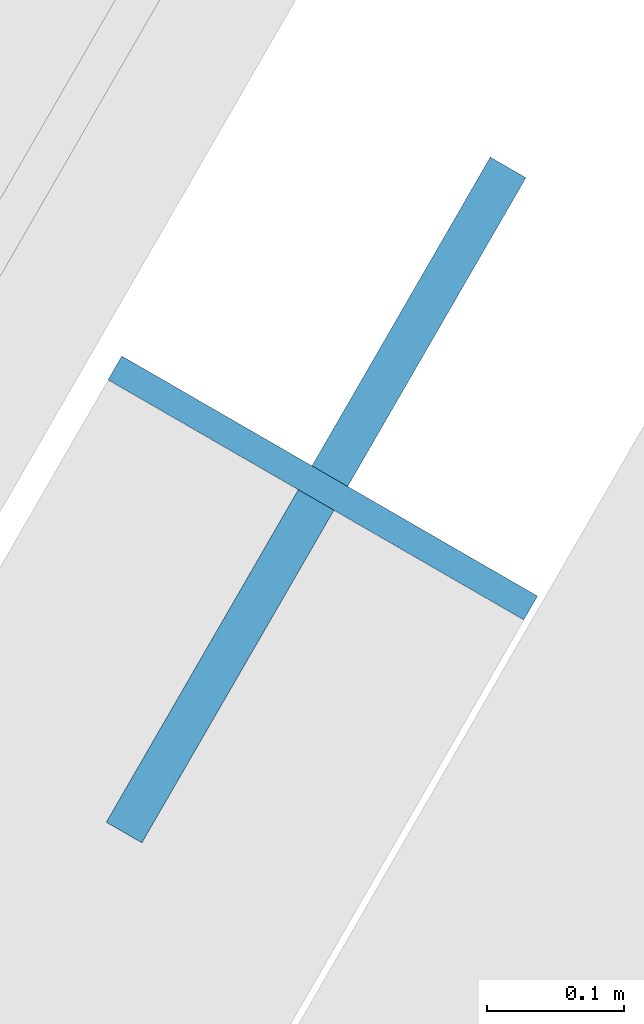
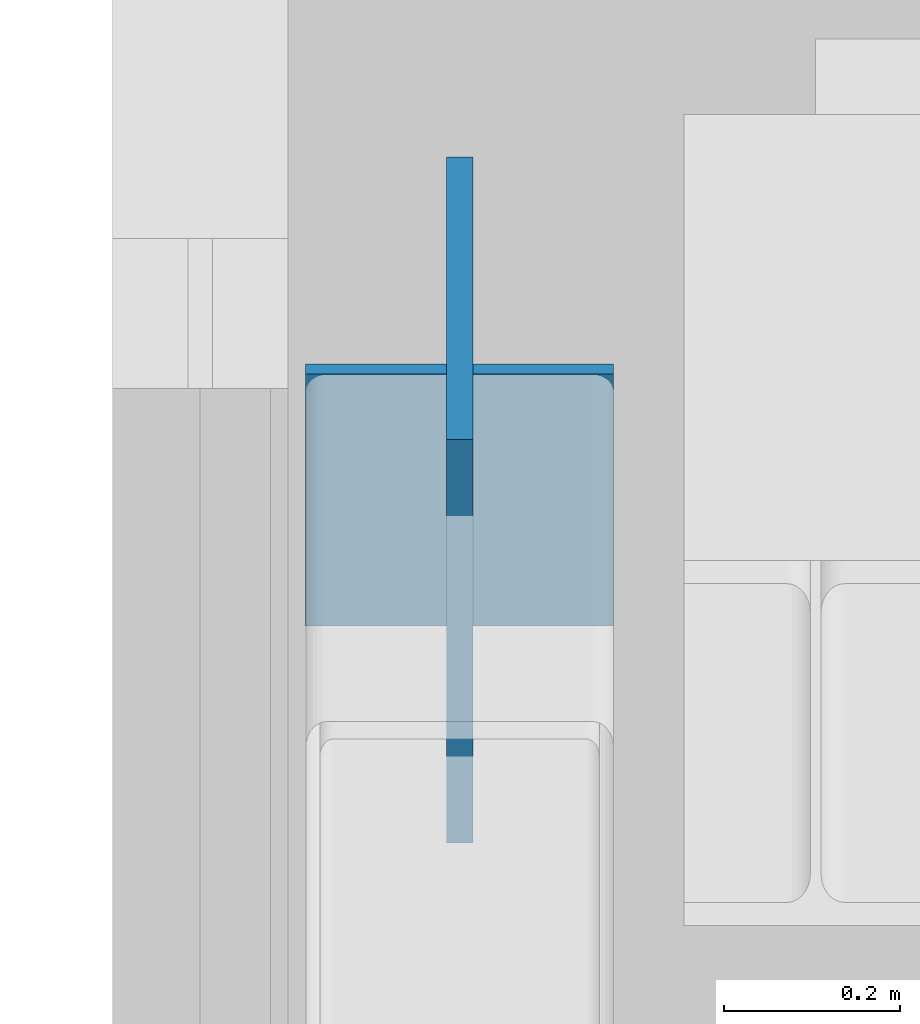
# One storey, part 24 of 28: 2 discrete accessories.
"""IFC4 building model written with IfcOpenShell, lengths in metres."""

from ifc_helpers import new_model, si_unit, direction, frame, origin, origin_2d, place, context, subcontext, project, spatial, rectangle, extrude, material, layer, layer_set, type_object, element, save


model = new_model("IFC4")

# Units and contexts
model_context = context("Model", 3, precision=1e-05, world=origin(), true_north=direction((0.0, 1.0)))
body_context = subcontext(model_context, "Body", "Model", "MODEL_VIEW")
ifc_project = project(units=[si_unit("LENGTHUNIT", "METRE"), si_unit("AREAUNIT", "SQUARE_METRE"), si_unit("VOLUMEUNIT", "CUBIC_METRE"), si_unit("PLANEANGLEUNIT", "RADIAN"), si_unit("MASSUNIT", "GRAM", prefix="KILO")], contexts=[model_context])

# Site, building, storey
site_placement = place(None, origin())
site = spatial("IfcSite", under=ifc_project, at=site_placement, CompositionType="ELEMENT")
building_placement = place(site_placement, origin())
building = spatial("IfcBuilding", under=site, at=building_placement, Name="Ayvan Gate Tower", CompositionType="ELEMENT")
storey_placement = place(building_placement, frame((0.0, 0.0, 143.89990234375)))
storey = spatial("IfcBuildingStorey", under=building, at=storey_placement, Name="L38", CompositionType="ELEMENT", Elevation=143.89990234375)

# Discrete accessories
ifc_material = material(Name="Steel S460ML", Category="steel")
ifc_layer_1 = layer(ifc_material, 0.030029296875)
ifc_layer_set_1 = layer_set([ifc_layer_1], Name="Steel S460ML")
discrete_accessory_type_1 = type_object("IfcDiscreteAccessoryType", Name="Gusset plate 30 mm", PredefinedType="BRACKET", material=ifc_layer_set_1)
discrete_accessory_1_placement = place(storey_placement, frame((2.025390625, 37.81787109375, 3.094970703125), z_axis=(0.0, 0.0, 1.0), x_axis=(0.5, 0.866025403784, 0.0)))
element("IfcDiscreteAccessory", 1, at=discrete_accessory_1_placement, inside=storey, type_object=discrete_accessory_type_1, Name="Gusset plate SBX3-A-D-5", PredefinedType="BRACKET", context=body_context, shape_type="SweptSolid", body=[
    extrude(rectangle(XDim=0.56005859375, YDim=0.030029296875, at=origin_2d()), origin(), (0.0, 0.0, 1.0), 0.56005859375),
])
ifc_layer_2 = layer(ifc_material, 0.02001953125)
ifc_layer_set_2 = layer_set([ifc_layer_2], Name="Steel S460ML")
discrete_accessory_type_2 = type_object("IfcDiscreteAccessoryType", Name="Sky bar end cap plate", PredefinedType="BRACKET", material=ifc_layer_set_2)
discrete_accessory_2_placement = place(storey_placement, frame((2.0302734375, 37.82666015625, 3.199951171875), z_axis=(0.0, 0.0, 1.0), x_axis=(0.5, 0.866025403784, 0.0)))
element("IfcDiscreteAccessory", 2, at=discrete_accessory_2_placement, inside=storey, type_object=discrete_accessory_type_2, Name="End cap SBX3-A-TC-5:EC", PredefinedType="BRACKET", context=body_context, shape_type="SweptSolid", body=[
    extrude(rectangle(XDim=0.02001953125, YDim=0.35009765625, at=origin_2d()), origin(), (0.0, 0.0, 1.0), 0.35009765625),
])

save(model, "model.ifc")
